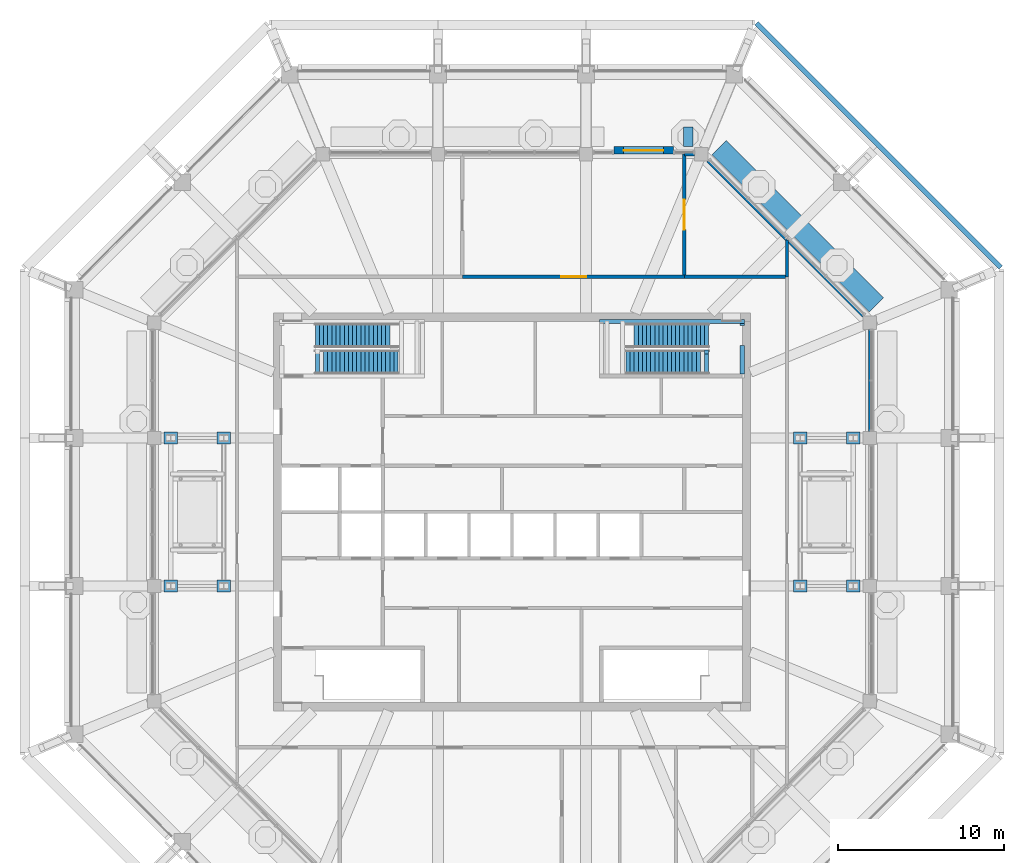
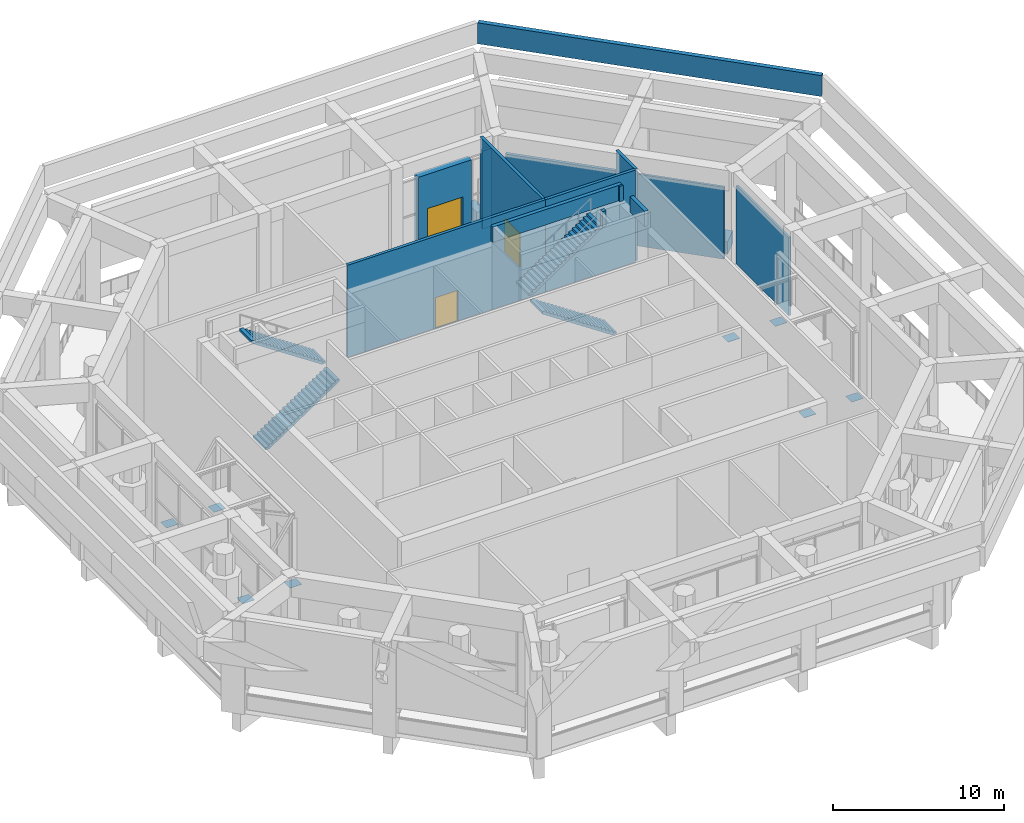
# One storey, part 17 of 29: 16 walls, 8 discrete accessories, 4 stair flights, 3 doors, 3 openings, 2 elements without a shape of their own.
"""IFC4 building model written with IfcOpenShell, lengths in metres."""

from ifc_helpers import new_model, si_unit, direction, frame, frame_2d, origin, origin_2d, place, context, subcontext, project, spatial, polyline, rectangle, outline, extrude, material, layer, layer_set, type_object, element, fill, aggregate, save


model = new_model("IFC4")

# Units and contexts
model_context = context("Model", 3, precision=1e-05, world=origin(), true_north=direction((0.0, 1.0)))
body_context = subcontext(model_context, "Body", "Model", "MODEL_VIEW")
ifc_project = project(units=[si_unit("LENGTHUNIT", "METRE"), si_unit("AREAUNIT", "SQUARE_METRE"), si_unit("VOLUMEUNIT", "CUBIC_METRE"), si_unit("PLANEANGLEUNIT", "RADIAN"), si_unit("MASSUNIT", "GRAM", prefix="KILO")], contexts=[model_context])

# Site, building, storey
site_placement = place(None, origin())
site = spatial("IfcSite", under=ifc_project, at=site_placement, CompositionType="ELEMENT")
building_placement = place(site_placement, origin())
building = spatial("IfcBuilding", under=site, at=building_placement, Name="Msitu Wima Residences", CompositionType="ELEMENT")
storey_placement = place(building_placement, frame((0.0, 0.0, 320.10009765625)))
storey = spatial("IfcBuildingStorey", under=building, at=storey_placement, Name="L74", CompositionType="ELEMENT", Elevation=320.10009765625)

# Wall, opening, door
ifc_material_1 = material(Name="Brick (red buff mix)", Category="masonry")
ifc_layer_1 = layer(ifc_material_1, 0.449951171875)
ifc_layer_set_1 = layer_set([ifc_layer_1], Name="Brick (red buff mix)")
wall_type_1 = type_object("IfcWallType", Name="Chamber door wall BW450", PredefinedType="SOLIDWALL", material=ifc_layer_set_1)
wall_1_placement = place(storey_placement, frame((9.7431640625, 21.824951171875, 0.0), z_axis=(0.0, 0.0, 1.0), x_axis=(-1.0, 0.0, 0.0)))
wall_1 = element("IfcWall", 1, at=wall_1_placement, inside=storey, type_object=wall_type_1, Name="Chamber door wall CH-2a1", PredefinedType="SOLIDWALL", context=body_context, shape_type="SweptSolid", body=[
    extrude(rectangle(XDim=3.60009765625, YDim=0.449951171875, at=frame_2d((1.800048828125, 0.0))), origin(), (0.0, 0.0, 1.0), 5.14990234375),
])
opening_1_placement = place(wall_1_placement, frame((0.60009765625, 0.0, 0.0)))
opening_1 = element("IfcOpeningElement", 2, at=opening_1_placement, cuts=wall_1, Name="Opening D74.001", PredefinedType="OPENING", context=body_context, shape_type="SweptSolid", body=[
    extrude(rectangle(XDim=2.39990234375, YDim=2.699951171875, at=frame_2d((1.199951171875, 1.35009765625))), frame((0.0, 0.23486328125, 0.0), z_axis=(0.0, -1.0, 0.0), x_axis=(1.0, 0.0, 0.0)), (0.0, 0.0, 1.0), 0.469970703125),
])
ifc_material_2 = material(Name="Anodised aluminium, bronze finish, clear laminated double glazing", Category="aluminium")
door_type_1 = type_object("IfcDoorType", Name="Deck door D2400x2700", OperationType="SLIDING_TO_LEFT", PredefinedType="DOOR", material=ifc_material_2)
door_1_placement = place(opening_1_placement, origin())
door_1 = element("IfcDoor", 3, at=door_1_placement, inside=storey, type_object=door_type_1, Name="Deck door CH-2a1", OperationType="SINGLE_SWING_LEFT", OverallHeight=2.699951171875, OverallWidth=2.39990234375, PredefinedType="DOOR", context=body_context, shape_type="SweptSolid", body=[
    extrude(rectangle(XDim=2.39990234375, YDim=2.699951171875, at=frame_2d((1.199951171875, 1.35009765625))), frame((0.0, 0.02490234375, 0.0), z_axis=(0.0, -1.0, 0.0), x_axis=(1.0, 0.0, 0.0)), (0.0, 0.0, 1.0), 0.050048828125),
])
fill(opening_1, door_1)

ifc_material_3 = material(Name="Plaster")
ifc_layer_2 = layer(ifc_material_3, 0.011962890625, Name="Plaster")
ifc_material_4 = material(Name="Concrete blockwork", Category="masonry")
ifc_layer_3 = layer(ifc_material_4, 0.176025390625, Name="Concrete blockwork")
ifc_layer_4 = layer(ifc_material_3, 0.011962890625, Name="Plaster")
ifc_layer_set_2 = layer_set([ifc_layer_2, ifc_layer_3, ifc_layer_4], Name="Concrete blockwork")
wall_type_2 = type_object("IfcWallType", Name="Corridor wall FW200", PredefinedType="PARTITIONING", material=ifc_layer_set_2)
wall_2_placement = place(storey_placement, frame((-2.97998046875, 14.199951171875, 0.0), z_axis=(0.0, 0.0, 1.0), x_axis=(1.0, 0.0, 0.0)))
wall_2 = element("IfcWall", 4, at=wall_2_placement, inside=storey, type_object=wall_type_2, Name="Corridor wall", PredefinedType="PARTITIONING", context=body_context, shape_type="SweptSolid", body=[
    extrude(rectangle(XDim=13.39990234375, YDim=0.199951171875, at=frame_2d((6.699951171875, 0.0))), origin(), (0.0, 0.0, 1.0), 6.599853515625),
])
opening_2_placement = place(wall_2_placement, frame((5.949951171875, 0.0, 0.0)))
opening_2 = element("IfcOpeningElement", 5, at=opening_2_placement, cuts=wall_2, Name="Opening D74.019", PredefinedType="OPENING", context=body_context, shape_type="SweptSolid", body=[
    extrude(rectangle(XDim=1.5, YDim=2.199951171875, at=frame_2d((0.75, 1.10009765625))), frame((0.0, 0.10986328125, 0.0), z_axis=(0.0, -1.0, 0.0), x_axis=(1.0, 0.0, 0.0)), (0.0, 0.0, 1.0), 0.219970703125),
])
ifc_material_5 = material(Name="Timber double door", Category="wood")
door_type_2 = type_object("IfcDoorType", Name="Double door D04 1500x2200", OperationType="DOUBLE_DOOR_SINGLE_SWING", PredefinedType="DOOR", material=ifc_material_5)
door_2_placement = place(opening_2_placement, origin())
door_2 = element("IfcDoor", 6, at=door_2_placement, inside=storey, type_object=door_type_2, Name="Double door", OperationType="DOUBLE_DOOR_SINGLE_SWING", OverallHeight=2.199951171875, OverallWidth=1.5, PredefinedType="DOOR", context=body_context, shape_type="SweptSolid", body=[
    extrude(rectangle(XDim=1.5, YDim=2.199951171875, at=frame_2d((0.75, 1.10009765625))), frame((0.0, 0.02490234375, 0.0), z_axis=(0.0, -1.0, 0.0), x_axis=(1.0, 0.0, 0.0)), (0.0, 0.0, 1.0), 0.050048828125),
])
fill(opening_2, door_2)

# Walls
ifc_material_6 = material(Name="Facing brick")
ifc_layer_5 = layer(ifc_material_6, 0.06494140625, Name="Facing brick")
ifc_material_7 = material(Name="Concrete C40/50", Category="concrete")
ifc_layer_6 = layer(ifc_material_7, 0.531005859375, Name="Concrete C40/50")
ifc_material_8 = material(Name="Waterproofing membrane")
ifc_layer_7 = layer(ifc_material_8, 0.00390625, Name="Waterproofing membrane")
ifc_material_9 = material(Name="Planting soil and planting")
ifc_layer_8 = layer(ifc_material_9, 0.60009765625, Name="Planting soil and planting")
ifc_layer_set_3 = layer_set([ifc_layer_5, ifc_layer_6, ifc_layer_7, ifc_layer_8], Name="Concrete C40/50")
wall_type_3 = type_object("IfcWallType", Name="Deck planter PLANTER PL1200", PredefinedType="USERDEFINED", material=ifc_layer_set_3)
wall_3_placement = place(storey_placement, frame((21.990966796875, 12.511474609375, 0.0), z_axis=(0.0, 0.0, 1.0), x_axis=(-0.707106781187, 0.707106781187, 0.0)))
element("IfcWall", 7, at=wall_3_placement, inside=storey, type_object=wall_type_3, Name="Deck planter 2a", ObjectType="PLANTER", PredefinedType="USERDEFINED", context=body_context, shape_type="SweptSolid", body=[
    extrude(rectangle(XDim=13.406005859375, YDim=1.199951171875, at=frame_2d((6.703125, 0.0))), origin(), (0.0, 0.0, 1.0), 0.89990234375),
])
wall_4_placement = place(storey_placement, frame((10.920654296875, 22.64990234375, 0.0), z_axis=(0.0, 0.0, 1.0), x_axis=(-1.0, 0.0, 0.0)))
element("IfcWall", 8, at=wall_4_placement, inside=storey, type_object=wall_type_3, Name="Deck planter 3a", ObjectType="PLANTER", PredefinedType="USERDEFINED", context=body_context, shape_type="SweptSolid", body=[
    extrude(rectangle(XDim=0.58056640625, YDim=1.199951171875, at=frame_2d((0.290283203125, 0.0))), origin(), (0.0, 0.0, 1.0), 0.89990234375),
])
ifc_layer_9 = layer(ifc_material_3, 0.011962890625, Name="Plaster")
ifc_layer_10 = layer(ifc_material_4, 0.1259765625, Name="Concrete blockwork")
ifc_layer_11 = layer(ifc_material_3, 0.011962890625, Name="Plaster")
ifc_layer_set_4 = layer_set([ifc_layer_9, ifc_layer_10, ifc_layer_11], Name="Concrete blockwork")
wall_type_4 = type_object("IfcWallType", Name="Partition PW150", PredefinedType="PARTITIONING", material=ifc_layer_set_4)
wall_5_placement = place(storey_placement, frame((16.690673828125, 16.326904296875, 0.0), z_axis=(0.0, 0.0, 1.0), x_axis=(0.707106781187, -0.707106781187, 0.0)))
element("IfcWall", 9, at=wall_5_placement, inside=storey, type_object=wall_type_4, Name="Partition", PredefinedType="PARTITIONING", context=body_context, shape_type="SweptSolid", body=[
    extrude(rectangle(XDim=6.377197265625, YDim=0.14990234375, at=frame_2d((3.1884765625, 0.0))), origin(), (0.0, 0.0, 1.0), 5.14990234375),
])
wall_6_placement = place(storey_placement, frame((21.60009765625, 4.86865234375, 0.0), z_axis=(0.0, 0.0, 1.0), x_axis=(0.0, 1.0, 0.0)))
element("IfcWall", 10, at=wall_6_placement, inside=storey, type_object=wall_type_4, Name="Partition", PredefinedType="PARTITIONING", context=body_context, shape_type="SweptSolid", body=[
    extrude(rectangle(XDim=6.14892578125, YDim=0.14990234375, at=frame_2d((3.074462890625, 0.0))), origin(), (0.0, 0.0, 1.0), 5.599853515625),
])
ifc_layer_12 = layer(ifc_material_3, 0.011962890625, Name="Plaster")
ifc_material_10 = material(Name="Reinforced concrete blockwork", Category="masonry")
ifc_layer_13 = layer(ifc_material_10, 0.176025390625, Name="Reinforced concrete blockwork")
ifc_layer_14 = layer(ifc_material_3, 0.011962890625, Name="Plaster")
ifc_layer_set_5 = layer_set([ifc_layer_12, ifc_layer_13, ifc_layer_14], Name="Reinforced concrete blockwork")
wall_type_5 = type_object("IfcWallType", Name="Plant and riser wall PL200", PredefinedType="PARTITIONING", material=ifc_layer_set_5)
wall_7_placement = place(storey_placement, frame((10.419921875, 14.199951171875, 0.0), z_axis=(0.0, 0.0, 1.0), x_axis=(1.0, 0.0, 0.0)))
element("IfcWall", 11, at=wall_7_placement, inside=storey, type_object=wall_type_5, Name="Plant and riser wall", PredefinedType="PARTITIONING", context=body_context, shape_type="SweptSolid", body=[
    extrude(rectangle(XDim=6.080078125, YDim=0.199951171875, at=frame_2d((3.0400390625, 0.0))), origin(), (0.0, 0.0, 1.0), 6.599853515625),
])

# Wall, opening, door
wall_8_placement = place(storey_placement, frame((10.39990234375, 14.300048828125, 0.0), z_axis=(0.0, 0.0, 1.0), x_axis=(0.0, 1.0, 0.0)))
wall_8 = element("IfcWall", 12, at=wall_8_placement, inside=storey, type_object=wall_type_5, Name="Plant and riser wall", PredefinedType="PARTITIONING", context=body_context, shape_type="SweptSolid", body=[
    extrude(rectangle(XDim=7.300048828125, YDim=0.199951171875, at=frame_2d((3.64990234375, 0.0))), origin(), (0.0, 0.0, 1.0), 6.599853515625),
])
opening_3_placement = place(wall_8_placement, frame((2.75, 0.0, 0.0)))
opening_3 = element("IfcOpeningElement", 13, at=opening_3_placement, cuts=wall_8, Name="Opening D74.024", PredefinedType="OPENING", context=body_context, shape_type="SweptSolid", body=[
    extrude(rectangle(XDim=1.800048828125, YDim=2.39990234375, at=frame_2d((0.89990234375, 1.199951171875))), frame((0.0, 0.10986328125, 0.0), z_axis=(0.0, -1.0, 0.0), x_axis=(1.0, 0.0, 0.0)), (0.0, 0.0, 1.0), 0.219970703125),
])
ifc_material_11 = material(Name="Steel door, fire resisting", Category="steel")
door_type_3 = type_object("IfcDoorType", Name="Plant room door D09 1800x2400", OperationType="DOUBLE_DOOR_SINGLE_SWING", PredefinedType="DOOR", material=ifc_material_11)
door_3_placement = place(opening_3_placement, origin())
door_3 = element("IfcDoor", 14, at=door_3_placement, inside=storey, type_object=door_type_3, Name="Plant room door", OperationType="DOUBLE_DOOR_SINGLE_SWING", OverallHeight=2.39990234375, OverallWidth=1.800048828125, PredefinedType="DOOR", context=body_context, shape_type="SweptSolid", body=[
    extrude(rectangle(XDim=1.800048828125, YDim=2.39990234375, at=frame_2d((0.89990234375, 1.199951171875))), frame((0.0, 0.02490234375, 0.0), z_axis=(0.0, -1.0, 0.0), x_axis=(1.0, 0.0, 0.0)), (0.0, 0.0, 1.0), 0.050048828125),
])
fill(opening_3, door_3)

# Walls
wall_9_placement = place(storey_placement, frame((10.419921875, 21.60009765625, 0.0), z_axis=(0.0, 0.0, 1.0), x_axis=(1.0, 0.0, 0.0)))
element("IfcWall", 15, at=wall_9_placement, inside=storey, type_object=wall_type_5, Name="Plant and riser wall", PredefinedType="PARTITIONING", context=body_context, shape_type="SweptSolid", body=[
    extrude(rectangle(XDim=0.59765625, YDim=0.199951171875, at=frame_2d((0.298828125, 0.0))), origin(), (0.0, 0.0, 1.0), 5.599853515625),
])
wall_10_placement = place(storey_placement, frame((11.817626953125, 21.199951171875, 0.0), z_axis=(0.0, 0.0, 1.0), x_axis=(0.707124883584, -0.707088678326, 0.0)))
element("IfcWall", 16, at=wall_10_placement, inside=storey, type_object=wall_type_5, Name="Plant and riser wall", PredefinedType="PARTITIONING", context=body_context, shape_type="SweptSolid", body=[
    extrude(rectangle(XDim=6.7431640625, YDim=0.199951171875, at=frame_2d((3.37158203125, 0.0))), origin(), (0.0, 0.0, 1.0), 5.14990234375),
])
wall_11_placement = place(storey_placement, frame((16.60009765625, 14.199951171875, 0.0), z_axis=(0.0, 0.0, 1.0), x_axis=(0.0, 1.0, 0.0)))
element("IfcWall", 17, at=wall_11_placement, inside=storey, type_object=wall_type_5, Name="Plant and riser wall", PredefinedType="PARTITIONING", context=body_context, shape_type="SweptSolid", body=[
    extrude(rectangle(XDim=2.2177734375, YDim=0.199951171875, at=frame_2d((1.10888671875, 0.0))), origin(), (0.0, 0.0, 1.0), 6.599853515625),
])
ifc_layer_15 = layer(ifc_material_6, 0.06494140625, Name="Facing brick")
ifc_layer_16 = layer(ifc_material_7, 0.235107421875, Name="Concrete C40/50")
ifc_layer_set_6 = layer_set([ifc_layer_15, ifc_layer_16], Name="Concrete C40/50")
wall_type_6 = type_object("IfcWallType", Name="Roof parapet PA300", PredefinedType="PARAPET", material=ifc_layer_set_6)
wall_12_placement = place(storey_placement, frame((14.754638671875, 29.506103515625, 7.0), z_axis=(0.0, 0.0, 1.0), x_axis=(0.707106781187, -0.707106781187, 0.0)))
element("IfcWall", 18, at=wall_12_placement, inside=storey, type_object=wall_type_6, Name="Roof parapet 6", PredefinedType="PARAPET", context=body_context, shape_type="SweptSolid", body=[
    extrude(rectangle(XDim=20.86181640625, YDim=0.300048828125, at=frame_2d((10.430908203125, 0.0))), origin(), (0.0, 0.0, 1.0), 1.5),
])
ifc_layer_17 = layer(ifc_material_6, 0.06494140625, Name="Facing brick")
ifc_layer_18 = layer(ifc_material_7, 0.18505859375, Name="Concrete C40/50")
ifc_layer_set_7 = layer_set([ifc_layer_17, ifc_layer_18], Name="Concrete C40/50")
wall_type_7 = type_object("IfcWallType", Name="Roof stair upstand wall UW250", PredefinedType="SOLIDWALL", material=ifc_layer_set_7)
wall_13_placement = place(storey_placement, frame((11.875, 9.64990234375, 7.0), z_axis=(0.0, 0.0, 1.0), x_axis=(-1.0, 0.0, 0.0)))
element("IfcWall", 19, at=wall_13_placement, inside=storey, type_object=wall_type_7, Name="Roof stair 3 upstand wall", PredefinedType="SOLIDWALL", context=body_context, shape_type="SweptSolid", body=[
    extrude(rectangle(XDim=0.25, YDim=0.25, at=frame_2d((0.125, 0.0))), origin(), (0.0, 0.0, 1.0), 1.099853515625),
])
wall_14_placement = place(storey_placement, frame((5.27490234375, 11.5, 7.0), z_axis=(0.0, 0.0, 1.0), x_axis=(1.0, 0.0, 0.0)))
element("IfcWall", 20, at=wall_14_placement, inside=storey, type_object=wall_type_7, Name="Roof stair 3 upstand wall", PredefinedType="SOLIDWALL", context=body_context, shape_type="SweptSolid", body=[
    extrude(rectangle(XDim=8.75, YDim=0.25, at=frame_2d((4.375, 0.0))), origin(), (0.0, 0.0, 1.0), 1.099853515625),
])
wall_15_placement = place(storey_placement, frame((13.89990234375, 8.324951171875, 7.0), z_axis=(0.0, 0.0, 1.0), x_axis=(0.0, 1.0, 0.0)))
element("IfcWall", 21, at=wall_15_placement, inside=storey, type_object=wall_type_7, Name="Roof stair 3 upstand wall", PredefinedType="SOLIDWALL", context=body_context, shape_type="SweptSolid", body=[
    extrude(rectangle(XDim=1.72509765625, YDim=0.25, at=frame_2d((0.862548828125, 0.0))), origin(), (0.0, 0.0, 1.0), 1.099853515625),
])
wall_16_placement = place(storey_placement, frame((13.89990234375, 11.25, 7.0), z_axis=(0.0, 0.0, 1.0), x_axis=(0.0, 1.0, 0.0)))
element("IfcWall", 22, at=wall_16_placement, inside=storey, type_object=wall_type_7, Name="Roof stair 3 upstand wall", PredefinedType="SOLIDWALL", context=body_context, shape_type="SweptSolid", body=[
    extrude(rectangle(XDim=0.125, YDim=0.25, at=frame_2d((0.0625, 0.0))), origin(), (0.0, 0.0, 1.0), 1.099853515625),
])

# Stair, stair flights
stair_type = type_object("IfcStairType", Name="Exit stair ES1667-145", PredefinedType="HALF_TURN_STAIR", material=ifc_material_7)
stair_1_placement = place(storey_placement, origin())
stair_1 = element("IfcStair", 23, at=stair_1_placement, inside=storey, type_object=stair_type, Name="Exit stair 1", PredefinedType="HALF_TURN_STAIR")
stair_flight_type = type_object("IfcStairFlightType", Name="Exit stair flight ES1667-145", PredefinedType="STRAIGHT", material=ifc_material_7)
stair_flight_1_placement = place(storey_placement, frame((-11.875, 9.050048828125, 0.0), z_axis=(0.0, 0.0, 1.0), x_axis=(1.0, 0.0, 0.0)))
stair_flight_1 = element("IfcStairFlight", 24, at=stair_flight_1_placement, type_object=stair_flight_type, Name="S1 flight 1", NumberOfRisers=21, NumberOfTreads=20, PredefinedType="STRAIGHT", RiserHeight=0.166666667, TreadLength=0.25, context=body_context, shape_type="SweptSolid", body=[
    extrude(outline(polyline([(0.0, 0.0), (0.0, 0.166748046875), (0.25, 0.166748046875), (0.25, 0.333251953125), (0.5, 0.333251953125), (0.5, 0.5), (0.75, 0.5), (0.75, 0.666748046875), (1.0, 0.666748046875), (1.0, 0.833251953125), (1.25, 0.833251953125), (1.25, 1.0), (1.5, 1.0), (1.5, 1.166748046875), (1.75, 1.166748046875), (1.75, 1.333251953125), (2.0, 1.333251953125), (2.0, 1.5), (2.25, 1.5), (2.25, 1.666748046875), (2.5, 1.666748046875), (2.5, 1.833251953125), (2.75, 1.833251953125), (2.75, 2.0), (3.0, 2.0), (3.0, 2.166748046875), (3.25, 2.166748046875), (3.25, 2.333251953125), (3.5, 2.333251953125), (3.5, 2.5), (3.75, 2.5), (3.75, 2.666748046875), (4.0, 2.666748046875), (4.0, 2.833251953125), (4.25, 2.833251953125), (4.25, 3.0), (4.5, 3.0), (4.5, 3.166748046875), (4.75, 3.166748046875), (4.75, 3.333251953125), (5.0, 3.333251953125), (5.0, 3.5), (5.0, 3.153076171875), (0.270263671875, 0.0), (0.0, 0.0)])), frame((0.0, 0.72509765625, 0.0), z_axis=(0.0, -1.0, 0.0), x_axis=(1.0, 0.0, 0.0)), (0.0, 0.0, 1.0), 1.449951171875),
])
stair_flight_2_placement = place(storey_placement, frame((-6.875, 10.64990234375, 3.5), z_axis=(0.0, 0.0, 1.0), x_axis=(-1.0, 0.0, 0.0)))
stair_flight_2 = element("IfcStairFlight", 25, at=stair_flight_2_placement, type_object=stair_flight_type, Name="S1 flight 2", NumberOfRisers=21, NumberOfTreads=20, PredefinedType="STRAIGHT", RiserHeight=0.166666667, TreadLength=0.25, context=body_context, shape_type="SweptSolid", body=[
    extrude(outline(polyline([(0.0, 0.0), (0.0, 0.166748046875), (0.25, 0.166748046875), (0.25, 0.333251953125), (0.5, 0.333251953125), (0.5, 0.5), (0.75, 0.5), (0.75, 0.666748046875), (1.0, 0.666748046875), (1.0, 0.833251953125), (1.25, 0.833251953125), (1.25, 1.0), (1.5, 1.0), (1.5, 1.166748046875), (1.75, 1.166748046875), (1.75, 1.333251953125), (2.0, 1.333251953125), (2.0, 1.5), (2.25, 1.5), (2.25, 1.666748046875), (2.5, 1.666748046875), (2.5, 1.833251953125), (2.75, 1.833251953125), (2.75, 2.0), (3.0, 2.0), (3.0, 2.166748046875), (3.25, 2.166748046875), (3.25, 2.333251953125), (3.5, 2.333251953125), (3.5, 2.5), (3.75, 2.5), (3.75, 2.666748046875), (4.0, 2.666748046875), (4.0, 2.833251953125), (4.25, 2.833251953125), (4.25, 3.0), (4.5, 3.0), (4.5, 3.166748046875), (4.75, 3.166748046875), (4.75, 3.333251953125), (5.0, 3.333251953125), (5.0, 3.5), (5.0, 3.153076171875), (0.270263671875, 0.0), (0.0, 0.0)])), frame((0.0, 0.72509765625, 0.0), z_axis=(0.0, -1.0, 0.0), x_axis=(1.0, 0.0, 0.0)), (0.0, 0.0, 1.0), 1.449951171875),
])
aggregate(stair_1, [stair_flight_1, stair_flight_2])

stair_2_placement = place(storey_placement, origin())
stair_2 = element("IfcStair", 26, at=stair_2_placement, inside=storey, type_object=stair_type, Name="Exit stair 3", PredefinedType="HALF_TURN_STAIR")
stair_flight_3_placement = place(storey_placement, frame((11.875, 9.050048828125, 0.0), z_axis=(0.0, 0.0, 1.0), x_axis=(-1.0, 0.0, 0.0)))
stair_flight_3 = element("IfcStairFlight", 27, at=stair_flight_3_placement, type_object=stair_flight_type, Name="S3 flight 1", NumberOfRisers=21, NumberOfTreads=20, PredefinedType="STRAIGHT", RiserHeight=0.166666667, TreadLength=0.25, context=body_context, shape_type="SweptSolid", body=[
    extrude(outline(polyline([(0.0, 0.0), (0.0, 0.166748046875), (0.25, 0.166748046875), (0.25, 0.333251953125), (0.5, 0.333251953125), (0.5, 0.5), (0.75, 0.5), (0.75, 0.666748046875), (1.0, 0.666748046875), (1.0, 0.833251953125), (1.25, 0.833251953125), (1.25, 1.0), (1.5, 1.0), (1.5, 1.166748046875), (1.75, 1.166748046875), (1.75, 1.333251953125), (2.0, 1.333251953125), (2.0, 1.5), (2.25, 1.5), (2.25, 1.666748046875), (2.5, 1.666748046875), (2.5, 1.833251953125), (2.75, 1.833251953125), (2.75, 2.0), (3.0, 2.0), (3.0, 2.166748046875), (3.25, 2.166748046875), (3.25, 2.333251953125), (3.5, 2.333251953125), (3.5, 2.5), (3.75, 2.5), (3.75, 2.666748046875), (4.0, 2.666748046875), (4.0, 2.833251953125), (4.25, 2.833251953125), (4.25, 3.0), (4.5, 3.0), (4.5, 3.166748046875), (4.75, 3.166748046875), (4.75, 3.333251953125), (5.0, 3.333251953125), (5.0, 3.5), (5.0, 3.153076171875), (0.270263671875, 0.0), (0.0, 0.0)])), frame((0.0, 0.72509765625, 0.0), z_axis=(0.0, -1.0, 0.0), x_axis=(1.0, 0.0, 0.0)), (0.0, 0.0, 1.0), 1.449951171875),
])
stair_flight_4_placement = place(storey_placement, frame((6.875, 10.64990234375, 3.5), z_axis=(0.0, 0.0, 1.0), x_axis=(1.0, 0.0, 0.0)))
stair_flight_4 = element("IfcStairFlight", 28, at=stair_flight_4_placement, type_object=stair_flight_type, Name="S3 flight 2", NumberOfRisers=21, NumberOfTreads=20, PredefinedType="STRAIGHT", RiserHeight=0.166666667, TreadLength=0.25, context=body_context, shape_type="SweptSolid", body=[
    extrude(outline(polyline([(0.0, 0.0), (0.0, 0.166748046875), (0.25, 0.166748046875), (0.25, 0.333251953125), (0.5, 0.333251953125), (0.5, 0.5), (0.75, 0.5), (0.75, 0.666748046875), (1.0, 0.666748046875), (1.0, 0.833251953125), (1.25, 0.833251953125), (1.25, 1.0), (1.5, 1.0), (1.5, 1.166748046875), (1.75, 1.166748046875), (1.75, 1.333251953125), (2.0, 1.333251953125), (2.0, 1.5), (2.25, 1.5), (2.25, 1.666748046875), (2.5, 1.666748046875), (2.5, 1.833251953125), (2.75, 1.833251953125), (2.75, 2.0), (3.0, 2.0), (3.0, 2.166748046875), (3.25, 2.166748046875), (3.25, 2.333251953125), (3.5, 2.333251953125), (3.5, 2.5), (3.75, 2.5), (3.75, 2.666748046875), (4.0, 2.666748046875), (4.0, 2.833251953125), (4.25, 2.833251953125), (4.25, 3.0), (4.5, 3.0), (4.5, 3.166748046875), (4.75, 3.166748046875), (4.75, 3.333251953125), (5.0, 3.333251953125), (5.0, 3.5), (5.0, 3.153076171875), (0.270263671875, 0.0), (0.0, 0.0)])), frame((0.0, 0.72509765625, 0.0), z_axis=(0.0, -1.0, 0.0), x_axis=(1.0, 0.0, 0.0)), (0.0, 0.0, 1.0), 1.449951171875),
])
aggregate(stair_2, [stair_flight_3, stair_flight_4])

# Discrete accessories
ifc_material_12 = material(Name="Non-shrink cement grout")
ifc_layer_19 = layer(ifc_material_12, 0.014892578125)
ifc_layer_set_8 = layer_set([ifc_layer_19], Name="Non-shrink cement grout")
discrete_accessory_type = type_object("IfcDiscreteAccessoryType", Name="Damper grout pad GP1", PredefinedType="USERDEFINED", material=ifc_layer_set_8)
for number, where, z_axis, x_axis, name in (
    (29, (17.39990234375, -4.46875, 0.14990234375), (0.0, 0.0, 1.0), (1.0, 0.0, 0.0), "Grout pad E1"),
    (30, (17.39990234375, 4.46875, 0.14990234375), (0.0, 0.0, 1.0), (1.0, 0.0, 0.0), "Grout pad E2"),
    (31, (20.60009765625, -4.46875, 0.14990234375), (0.0, 0.0, 1.0), (1.0, 0.0, 0.0), "Grout pad E3"),
    (32, (20.60009765625, 4.46875, 0.14990234375), (0.0, 0.0, 1.0), (1.0, 0.0, 0.0), "Grout pad E4"),
    (33, (-17.39990234375, -4.46875, 0.14990234375), (0.0, 0.0, 1.0), (1.0, 0.0, 0.0), "Grout pad W1"),
    (34, (-17.39990234375, 4.46875, 0.14990234375), (0.0, 0.0, 1.0), (1.0, 0.0, 0.0), "Grout pad W2"),
    (35, (-20.60009765625, -4.46875, 0.14990234375), (0.0, 0.0, 1.0), (1.0, 0.0, 0.0), "Grout pad W3"),
    (36, (-20.60009765625, 4.46875, 0.14990234375), (0.0, 0.0, 1.0), (1.0, 0.0, 0.0), "Grout pad W4"),
):
    element("IfcDiscreteAccessory", number, at=place(storey_placement, frame(where, z_axis=z_axis, x_axis=x_axis)), inside=storey, type_object=discrete_accessory_type, Name=name, ObjectType="GROUT PAD", PredefinedType="USERDEFINED", context=body_context, shape_type="SweptSolid", body=[
        extrude(rectangle(XDim=0.800048828125, YDim=0.699951171875, at=origin_2d()), origin(), (0.0, 0.0, 1.0), 0.014892578125),
    ])

save(model, "model.ifc")
